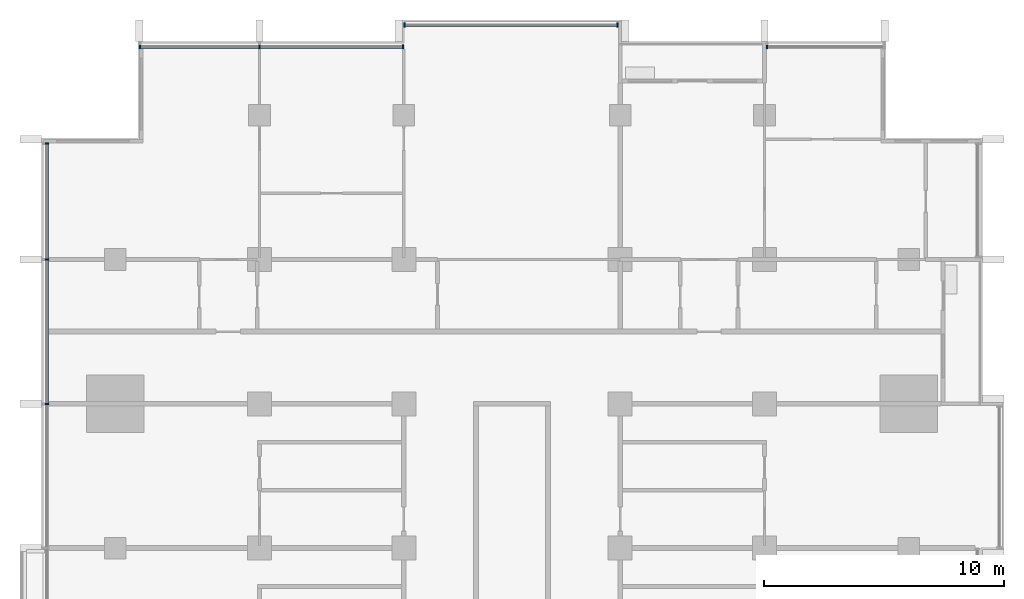
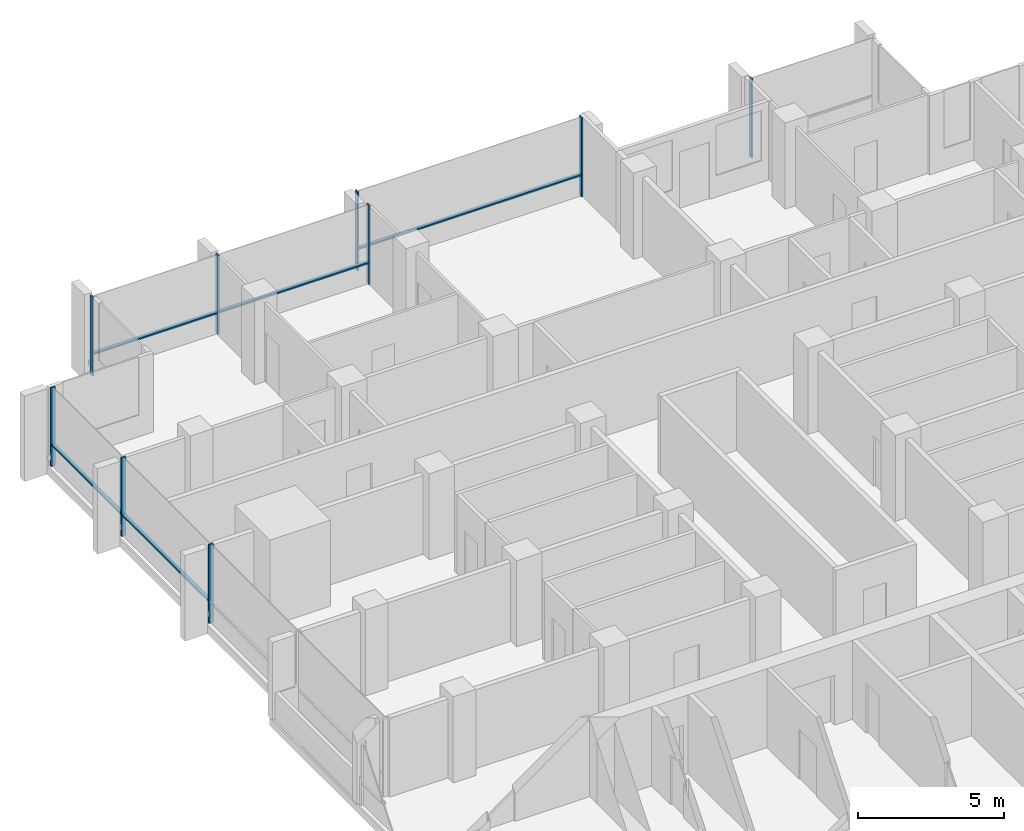
# One storey, part 4 of 16: 14 members, 4 elements without a shape of their own.
"""IFC4 building model written with IfcOpenShell, lengths in metres."""

from ifc_helpers import new_model, si_unit, direction, frame, origin, origin_2d, place, context, subcontext, project, spatial, rectangle, extrude, material, material_profile, profile_set, type_object, element, aggregate, save


model = new_model("IFC4")

# Units and contexts
model_context = context("Model", 3, precision=1e-05, world=origin(), true_north=direction((0.0, 1.0)))
body_context = subcontext(model_context, "Body", "Model", "MODEL_VIEW")
ifc_project = project(units=[si_unit("LENGTHUNIT", "METRE"), si_unit("AREAUNIT", "SQUARE_METRE"), si_unit("VOLUMEUNIT", "CUBIC_METRE"), si_unit("PLANEANGLEUNIT", "RADIAN"), si_unit("MASSUNIT", "GRAM", prefix="KILO")], contexts=[model_context])

# Site, building, storey
site_placement = place(None, origin())
site = spatial("IfcSite", under=ifc_project, at=site_placement, CompositionType="ELEMENT")
building_placement = place(site_placement, origin())
building = spatial("IfcBuilding", under=site, at=building_placement, Name="Finial Court Residences", CompositionType="ELEMENT")
storey_placement = place(building_placement, frame((0.0, 0.0, 160.10009765625)))
storey = spatial("IfcBuildingStorey", under=building, at=storey_placement, Name="L39", CompositionType="ELEMENT", Elevation=160.10009765625)

# Curtain wall, members
ifc_material = material(Name="Bronze anodised aluminium", Category="aluminium")
curtain_wall_type = type_object("IfcCurtainWallType", Name="Unitised curtain wall, upper zones", PredefinedType="NOTDEFINED", material=ifc_material)
curtain_wall_1_placement = place(storey_placement, origin())
curtain_wall_1 = element("IfcCurtainWall", 1, at=curtain_wall_1_placement, inside=storey, type_object=curtain_wall_type, Name="E-L39-CW-N1", PredefinedType="NOTDEFINED")
ifc_material_profile_1 = material_profile(ifc_material, rectangle(XDim=0.175048828125, YDim=0.06005859375, at=origin_2d()), Name="CW2 mullion 60 x 175")
ifc_profile_set_1 = profile_set([ifc_material_profile_1], Name="Bronze anodised aluminium")
member_type_1 = type_object("IfcMemberType", Name="CW2 mullion 60 x 175", PredefinedType="MULLION", material=ifc_profile_set_1)
member_1_placement = place(storey_placement, frame((-15.469970703125, 22.35009765625, 0.0), z_axis=(0.0, 0.0, 1.0), x_axis=(0.0, 1.0, 0.0)))
member_1 = element("IfcMember", 2, at=member_1_placement, type_object=member_type_1, Name="CW2 mullion 1", PredefinedType="MULLION", context=body_context, shape_type="SweptSolid", body=[
    extrude(rectangle(XDim=0.175048828125, YDim=0.06005859375, at=origin_2d()), origin(), (0.0, 0.0, 1.0), 3.2998046875),
])
member_2_placement = place(storey_placement, frame((-10.5, 22.35009765625, 0.0), z_axis=(0.0, 0.0, 1.0), x_axis=(0.0, 1.0, 0.0)))
member_2 = element("IfcMember", 3, at=member_2_placement, type_object=member_type_1, Name="CW2 mullion 2", PredefinedType="MULLION", context=body_context, shape_type="SweptSolid", body=[
    extrude(rectangle(XDim=0.175048828125, YDim=0.06005859375, at=origin_2d()), origin(), (0.0, 0.0, 1.0), 3.2998046875),
])
member_3_placement = place(storey_placement, frame((-4.530029296875, 22.35009765625, 0.0), z_axis=(0.0, 0.0, 1.0), x_axis=(0.0, 1.0, 0.0)))
member_3 = element("IfcMember", 4, at=member_3_placement, type_object=member_type_1, Name="CW2 mullion 3", PredefinedType="MULLION", context=body_context, shape_type="SweptSolid", body=[
    extrude(rectangle(XDim=0.175048828125, YDim=0.06005859375, at=origin_2d()), origin(), (0.0, 0.0, 1.0), 3.2998046875),
])

curtain_wall_2_placement = place(storey_placement, origin())
curtain_wall_2 = element("IfcCurtainWall", 5, at=curtain_wall_2_placement, inside=storey, type_object=curtain_wall_type, Name="E-L39-CW-N2", PredefinedType="NOTDEFINED")
member_4_placement = place(storey_placement, frame((-4.469970703125, 23.25, 0.0), z_axis=(0.0, 0.0, 1.0), x_axis=(0.0, 1.0, 0.0)))
member_4 = element("IfcMember", 6, at=member_4_placement, type_object=member_type_1, Name="CW2 mullion 1", PredefinedType="MULLION", context=body_context, shape_type="SweptSolid", body=[
    extrude(rectangle(XDim=0.175048828125, YDim=0.06005859375, at=origin_2d()), origin(), (0.0, 0.0, 1.0), 3.2998046875),
])
member_5_placement = place(storey_placement, frame((4.39501953125, 23.25, 0.0), z_axis=(0.0, 0.0, 1.0), x_axis=(0.0, 1.0, 0.0)))
member_5 = element("IfcMember", 7, at=member_5_placement, type_object=member_type_1, Name="CW2 mullion 2", PredefinedType="MULLION", context=body_context, shape_type="SweptSolid", body=[
    extrude(rectangle(XDim=0.175048828125, YDim=0.06005859375, at=origin_2d()), origin(), (0.0, 0.0, 1.0), 3.2998046875),
])

# Curtain wall, member
curtain_wall_3_placement = place(storey_placement, origin())
curtain_wall_3 = element("IfcCurtainWall", 8, at=curtain_wall_3_placement, inside=storey, type_object=curtain_wall_type, Name="E-L39-CW-N3", PredefinedType="NOTDEFINED")
member_6_placement = place(storey_placement, frame((10.60498046875, 22.35009765625, 0.0), z_axis=(0.0, 0.0, 1.0), x_axis=(0.0, 1.0, 0.0)))
member_6 = element("IfcMember", 9, at=member_6_placement, type_object=member_type_1, Name="CW2 mullion 1", PredefinedType="MULLION", context=body_context, shape_type="SweptSolid", body=[
    extrude(rectangle(XDim=0.175048828125, YDim=0.06005859375, at=origin_2d()), origin(), (0.0, 0.0, 1.0), 3.2998046875),
])
aggregate(curtain_wall_3, [member_6])

# Curtain wall, members
curtain_wall_4_placement = place(storey_placement, origin())
curtain_wall_4 = element("IfcCurtainWall", 10, at=curtain_wall_4_placement, inside=storey, type_object=curtain_wall_type, Name="E-L39-CW-W11", PredefinedType="NOTDEFINED")
member_7_placement = place(storey_placement, frame((-19.35009765625, 7.5, 0.0), z_axis=(0.0, 0.0, 1.0), x_axis=(-1.0, 0.0, 0.0)))
member_7 = element("IfcMember", 11, at=member_7_placement, type_object=member_type_1, Name="CW2 mullion 3", PredefinedType="MULLION", context=body_context, shape_type="SweptSolid", body=[
    extrude(rectangle(XDim=0.175048828125, YDim=0.06005859375, at=origin_2d()), origin(), (0.0, 0.0, 1.0), 3.2998046875),
])
member_8_placement = place(storey_placement, frame((-19.35009765625, 13.5, 0.0), z_axis=(0.0, 0.0, 1.0), x_axis=(-1.0, 0.0, 0.0)))
member_8 = element("IfcMember", 12, at=member_8_placement, type_object=member_type_1, Name="CW2 mullion 4", PredefinedType="MULLION", context=body_context, shape_type="SweptSolid", body=[
    extrude(rectangle(XDim=0.175048828125, YDim=0.06005859375, at=origin_2d()), origin(), (0.0, 0.0, 1.0), 3.2998046875),
])
member_9_placement = place(storey_placement, frame((-19.35009765625, 18.320068359375, 0.0), z_axis=(0.0, 0.0, 1.0), x_axis=(-1.0, 0.0, 0.0)))
member_9 = element("IfcMember", 13, at=member_9_placement, type_object=member_type_1, Name="CW2 mullion 5", PredefinedType="MULLION", context=body_context, shape_type="SweptSolid", body=[
    extrude(rectangle(XDim=0.175048828125, YDim=0.06005859375, at=origin_2d()), origin(), (0.0, 0.0, 1.0), 3.2998046875),
])

# Member
ifc_material_profile_2 = material_profile(ifc_material, rectangle(XDim=0.139892578125, YDim=0.06005859375, at=origin_2d()), Name="CW2 transom 60 x 140")
ifc_profile_set_2 = profile_set([ifc_material_profile_2], Name="Bronze anodised aluminium")
member_type_2 = type_object("IfcMemberType", Name="CW2 transom 60 x 140", PredefinedType="USERDEFINED", material=ifc_profile_set_2)
member_10_placement = place(storey_placement, frame((-15.43994140625, 22.35009765625, 0.89990234375), z_axis=(1.0, 0.0, 0.0), x_axis=(0.0, 1.0, 0.0)))
member_10 = element("IfcMember", 14, at=member_10_placement, type_object=member_type_2, Name="CW2 transom 1.1", ObjectType="TRANSOM", PredefinedType="USERDEFINED", context=body_context, shape_type="SweptSolid", body=[
    extrude(rectangle(XDim=0.139892578125, YDim=0.06005859375, at=origin_2d()), origin(), (0.0, 0.0, 1.0), 4.909912109375),
])

member_11_placement = place(storey_placement, frame((-10.469970703125, 22.35009765625, 0.89990234375), z_axis=(1.0, 0.0, 0.0), x_axis=(0.0, 1.0, 0.0)))
member_11 = element("IfcMember", 15, at=member_11_placement, type_object=member_type_2, Name="CW2 transom 2.1", ObjectType="TRANSOM", PredefinedType="USERDEFINED", context=body_context, shape_type="SweptSolid", body=[
    extrude(rectangle(XDim=0.139892578125, YDim=0.06005859375, at=origin_2d()), origin(), (0.0, 0.0, 1.0), 5.909912109375),
])

aggregate(curtain_wall_1, [member_1, member_2, member_3, member_10, member_11])

member_12_placement = place(storey_placement, frame((-4.43994140625, 23.25, 0.89990234375), z_axis=(1.0, 0.0, 0.0), x_axis=(0.0, 1.0, 0.0)))
member_12 = element("IfcMember", 16, at=member_12_placement, type_object=member_type_2, Name="CW2 transom 1.1", ObjectType="TRANSOM", PredefinedType="USERDEFINED", context=body_context, shape_type="SweptSolid", body=[
    extrude(rectangle(XDim=0.139892578125, YDim=0.06005859375, at=origin_2d()), origin(), (0.0, 0.0, 1.0), 8.804931640625),
])

aggregate(curtain_wall_2, [member_4, member_5, member_12])

member_13_placement = place(storey_placement, frame((-19.35009765625, 7.530029296875, 0.89990234375), z_axis=(0.0, 1.0, 0.0), x_axis=(-1.0, 0.0, 0.0)))
member_13 = element("IfcMember", 17, at=member_13_placement, type_object=member_type_2, Name="CW2 transom 3.1", ObjectType="TRANSOM", PredefinedType="USERDEFINED", context=body_context, shape_type="SweptSolid", body=[
    extrude(rectangle(XDim=0.139892578125, YDim=0.06005859375, at=origin_2d()), origin(), (0.0, 0.0, 1.0), 5.93994140625),
])

member_14_placement = place(storey_placement, frame((-19.35009765625, 13.530029296875, 0.89990234375), z_axis=(0.0, 1.0, 0.0), x_axis=(-1.0, 0.0, 0.0)))
member_14 = element("IfcMember", 18, at=member_14_placement, type_object=member_type_2, Name="CW2 transom 4.1", ObjectType="TRANSOM", PredefinedType="USERDEFINED", context=body_context, shape_type="SweptSolid", body=[
    extrude(rectangle(XDim=0.139892578125, YDim=0.06005859375, at=origin_2d()), origin(), (0.0, 0.0, 1.0), 4.760009765625),
])

aggregate(curtain_wall_4, [member_7, member_8, member_9, member_13, member_14])

save(model, "model.ifc")
